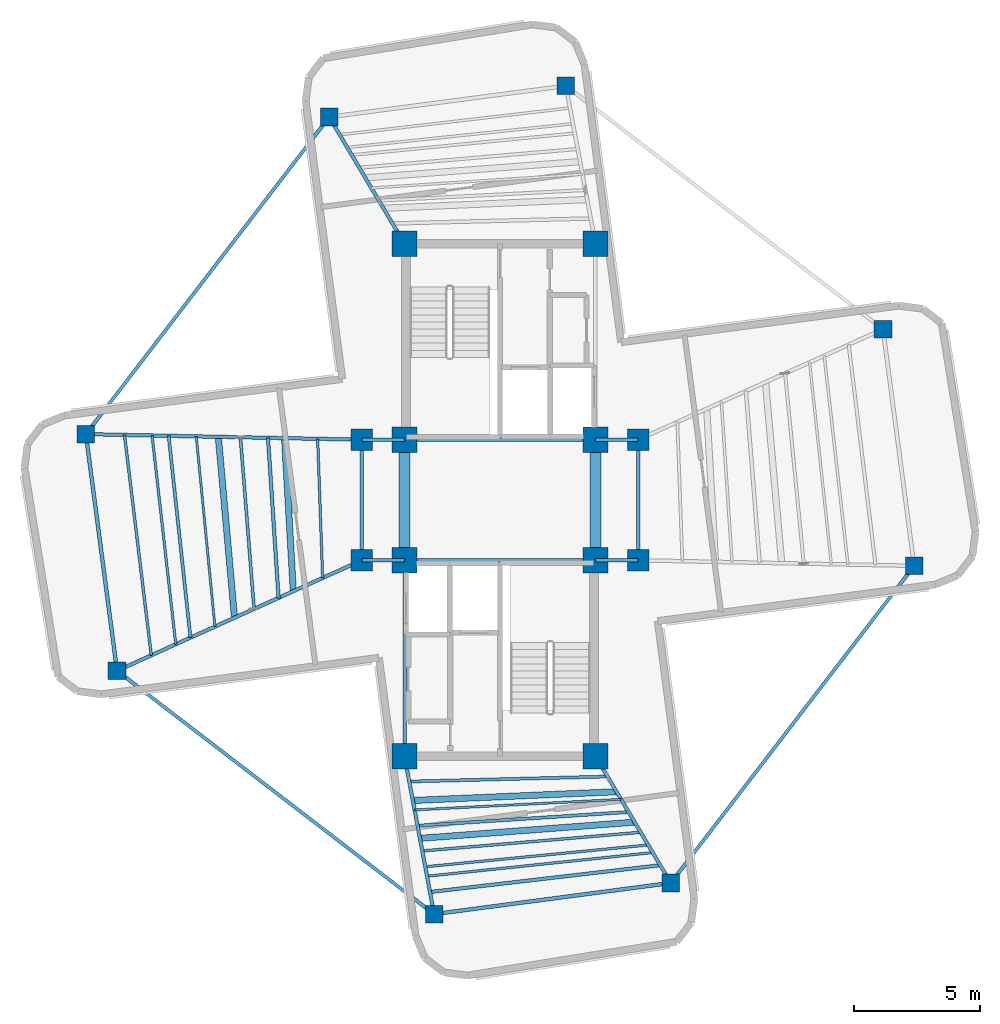
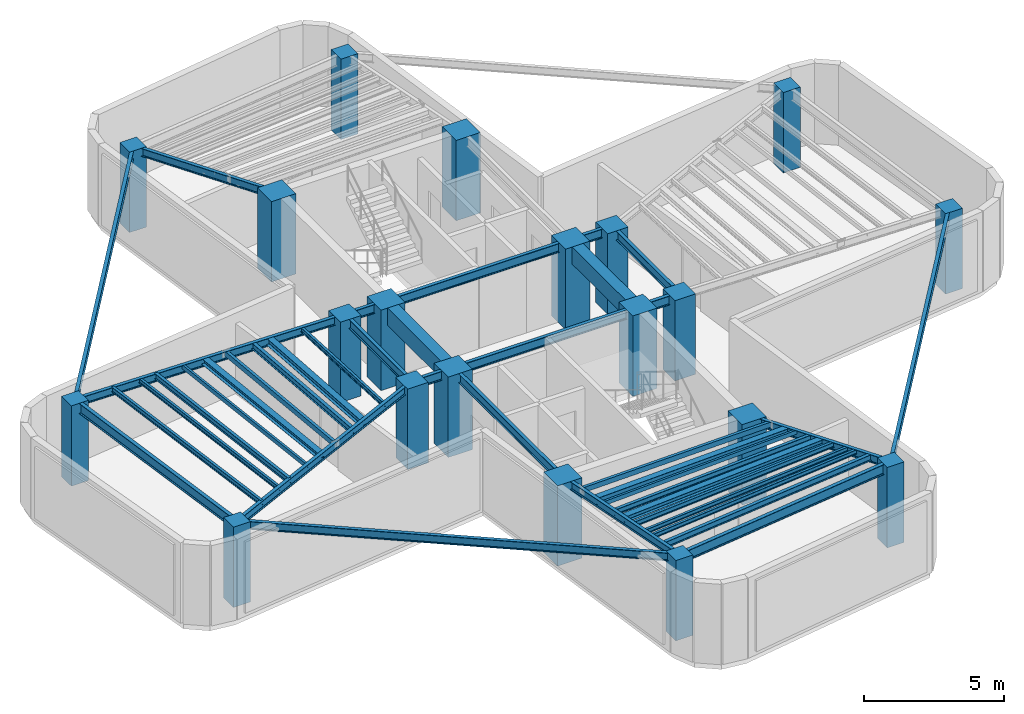
# One storey, part 1 of 6: 39 beams, 20 columns.
"""IFC4 building model written with IfcOpenShell, lengths in metres."""

from ifc_helpers import new_model, si_unit, direction, frame, origin, origin_2d, place, context, subcontext, project, spatial, rectangle, hollow_rectangle, i_section, extrude, source, transform, mapped, material, material_profile, profile_set, type_object, element, save


model = new_model("IFC4")

# Units and contexts
model_context = context("Model", 3, precision=1e-05, world=origin(), true_north=direction((0.0, 1.0)))
body_context = subcontext(model_context, "Body", "Model", "MODEL_VIEW")
ifc_project = project(units=[si_unit("LENGTHUNIT", "METRE"), si_unit("AREAUNIT", "SQUARE_METRE"), si_unit("VOLUMEUNIT", "CUBIC_METRE"), si_unit("PLANEANGLEUNIT", "RADIAN"), si_unit("MASSUNIT", "GRAM", prefix="KILO")], contexts=[model_context])

# Site, building, storey
site_placement = place(None, origin())
site = spatial("IfcSite", under=ifc_project, at=site_placement, CompositionType="ELEMENT")
building_placement = place(site_placement, origin())
building = spatial("IfcBuilding", under=site, at=building_placement, Name="Sahyath Konkavel Grand Hotel", CompositionType="ELEMENT")
storey_placement = place(building_placement, frame((0.0, 0.0, 285.10009765625)))
storey = spatial("IfcBuildingStorey", under=building, at=storey_placement, Name="L79", CompositionType="ELEMENT", Elevation=285.10009765625)

# Columns
ifc_material_1 = material(Name="Concrete C50/60", Category="concrete")
ifc_material_profile_1 = material_profile(ifc_material_1, rectangle(XDim=1.0, YDim=1.0, at=origin_2d()), Name="RC 1000x1000")
ifc_profile_set_1 = profile_set([ifc_material_profile_1], Name="Concrete C50/60")
column_type_1 = type_object("IfcColumnType", Name="COL-RC1000", PredefinedType="COLUMN", material=ifc_profile_set_1)
shared_shape_1 = source(origin(), body_context, "Body", "SweptSolid", [
    extrude(rectangle(XDim=1.0, YDim=1.0, at=origin_2d()), origin(), (0.0, 0.0, 1.0), 3.5),
])
for number, where, z_axis, x_axis, name in (
    (1, (-3.800048828125, 2.39990234375, 0.0), (0.0, 0.0, 1.0), (1.0, 0.0, 0.0), "L79 Core Boundary Column NC-SW"),
    (2, (3.800048828125, 2.39990234375, 0.0), (0.0, 0.0, 1.0), (1.0, 0.0, 0.0), "L79 Core Boundary Column NC-SE"),
    (3, (-3.800048828125, 10.199951171875, 0.0), (0.0, 0.0, 1.0), (1.0, 0.0, 0.0), "L79 Core Boundary Column NC-NW"),
    (4, (3.800048828125, 10.199951171875, 0.0), (0.0, 0.0, 1.0), (1.0, 0.0, 0.0), "L79 Core Boundary Column NC-NE"),
    (5, (-3.800048828125, -2.39990234375, 0.0), (0.0, 0.0, 1.0), (1.0, 0.0, 0.0), "L79 Core Boundary Column SC-NW"),
    (6, (3.800048828125, -2.39990234375, 0.0), (0.0, 0.0, 1.0), (1.0, 0.0, 0.0), "L79 Core Boundary Column SC-NE"),
    (7, (-3.800048828125, -10.199951171875, 0.0), (0.0, 0.0, 1.0), (1.0, 0.0, 0.0), "L79 Core Boundary Column SC-SW"),
    (8, (3.800048828125, -10.199951171875, 0.0), (0.0, 0.0, 1.0), (1.0, 0.0, 0.0), "L79 Core Boundary Column SC-SE"),
):
    element("IfcColumn", number, at=place(storey_placement, frame(where, z_axis=z_axis, x_axis=x_axis)), inside=storey, type_object=column_type_1, Name=name, PredefinedType="COLUMN", context=body_context, shape_type="MappedRepresentation", body=[
        mapped(shared_shape_1, transform((0.0, 0.0, 0.0), scale=1.0)),
    ])
ifc_material_2 = material(Name="Concrete C40/50", Category="concrete")
ifc_material_profile_2 = material_profile(ifc_material_2, rectangle(XDim=0.85009765625, YDim=0.85009765625, at=origin_2d()), Name="RC 850x850")
ifc_profile_set_2 = profile_set([ifc_material_profile_2], Name="Concrete C40/50")
column_type_2 = type_object("IfcColumnType", Name="COL-RC850", PredefinedType="COLUMN", material=ifc_profile_set_2)
shared_shape_2 = source(origin(), body_context, "Body", "SweptSolid", [
    extrude(rectangle(XDim=0.85009765625, YDim=0.85009765625, at=origin_2d()), origin(), (0.0, 0.0, 1.0), 3.5),
])
for number, where, z_axis, x_axis, name in (
    (9, (5.5, 2.39990234375, 0.0), (0.0, 0.0, 1.0), (1.0, 0.0, 0.0), "L79 Central Spine Column HB-NE"),
    (10, (-5.5, 2.39990234375, 0.0), (0.0, 0.0, 1.0), (1.0, 0.0, 0.0), "L79 Central Spine Column HB-NW"),
    (11, (5.5, -2.39990234375, 0.0), (0.0, 0.0, 1.0), (1.0, 0.0, 0.0), "L79 Central Spine Column HB-SE"),
    (12, (-5.5, -2.39990234375, 0.0), (0.0, 0.0, 1.0), (1.0, 0.0, 0.0), "L79 Central Spine Column HB-SW"),
):
    element("IfcColumn", number, at=place(storey_placement, frame(where, z_axis=z_axis, x_axis=x_axis)), inside=storey, type_object=column_type_2, Name=name, PredefinedType="COLUMN", context=body_context, shape_type="MappedRepresentation", body=[
        mapped(shared_shape_2, transform((0.0, 0.0, 0.0), scale=1.0)),
    ])
ifc_material_profile_3 = material_profile(ifc_material_2, rectangle(XDim=0.699951171875, YDim=0.699951171875, at=origin_2d()), Name="RC 700x700")
ifc_profile_set_3 = profile_set([ifc_material_profile_3], Name="Concrete C40/50")
column_type_3 = type_object("IfcColumnType", Name="COL-RC700", PredefinedType="COLUMN", material=ifc_profile_set_3)
shared_shape_3 = source(origin(), body_context, "Body", "SweptSolid", [
    extrude(rectangle(XDim=0.699951171875, YDim=0.699951171875, at=origin_2d()), origin(), (0.0, 0.0, 1.0), 3.5),
])
for number, where, z_axis, x_axis, name in (
    (13, (16.483154296875, -2.620849609375, 0.0), (0.0, 0.0, 1.0), (1.0, 0.0, 0.0), "L79 Cruciform Wing Column WC-EA"),
    (14, (15.2431640625, 6.7978515625, 0.0), (0.0, 0.0, 1.0), (1.0, 0.0, 0.0), "L79 Cruciform Wing Column WC-EB"),
    (15, (2.620849609375, 16.483154296875, 0.0), (0.0, 0.0, 1.0), (1.0, 0.0, 0.0), "L79 Cruciform Wing Column WC-NA"),
    (16, (-6.7978515625, 15.2431640625, 0.0), (0.0, 0.0, 1.0), (1.0, 0.0, 0.0), "L79 Cruciform Wing Column WC-NB"),
    (17, (-16.483154296875, 2.620849609375, 0.0), (0.0, 0.0, 1.0), (1.0, 0.0, 0.0), "L79 Cruciform Wing Column WC-WA"),
    (18, (-15.2431640625, -6.7978515625, 0.0), (0.0, 0.0, 1.0), (1.0, 0.0, 0.0), "L79 Cruciform Wing Column WC-WB"),
    (19, (-2.620849609375, -16.483154296875, 0.0), (0.0, 0.0, 1.0), (1.0, 0.0, 0.0), "L79 Cruciform Wing Column WC-SA"),
    (20, (6.7978515625, -15.2431640625, 0.0), (0.0, 0.0, 1.0), (1.0, 0.0, 0.0), "L79 Cruciform Wing Column WC-SB"),
):
    element("IfcColumn", number, at=place(storey_placement, frame(where, z_axis=z_axis, x_axis=x_axis)), inside=storey, type_object=column_type_3, Name=name, PredefinedType="COLUMN", context=body_context, shape_type="MappedRepresentation", body=[
        mapped(shared_shape_3, transform((0.0, 0.0, 0.0), scale=1.0)),
    ])

# Beams
ifc_material_3 = material(Name="Steel E350", Category="steel")
ifc_material_profile_4 = material_profile(ifc_material_3, i_section(OverallWidth=0.139892578125, OverallDepth=0.39990234375, WebThickness=0.0087890625, FlangeThickness=0.01611328125, FilletRadius=0.013916015625, at=origin_2d()), Name="ISMB 400")
ifc_profile_set_4 = profile_set([ifc_material_profile_4], Name="Steel E350")
beam_type_1 = type_object("IfcBeamType", Name="BM-ISMB400", PredefinedType="BEAM", material=ifc_profile_set_4)
shared_shape_4 = source(origin(), body_context, "Body", "SweptSolid", [
    extrude(i_section(OverallWidth=0.139892578125, OverallDepth=0.39990234375, WebThickness=0.0087890625, FlangeThickness=0.01611328125, FilletRadius=0.013916015625, at=origin_2d()), origin(), (0.0, 0.0, 1.0), 7.60009765625),
])
for number, where, z_axis, x_axis, name in (
    (21, (-3.800048828125, 2.39990234375, 3.2998046875), (1.0, 0.0, 0.0), (0.0, 1.0, 0.0), "str:bm:L79:NC-S"),
    (22, (-3.800048828125, -2.39990234375, 3.2998046875), (1.0, 0.0, 0.0), (0.0, 1.0, 0.0), "str:bm:L79:SC-N"),
):
    element("IfcBeam", number, at=place(storey_placement, frame(where, z_axis=z_axis, x_axis=x_axis)), inside=storey, type_object=beam_type_1, Name=name, PredefinedType="BEAM", context=body_context, shape_type="MappedRepresentation", body=[
        mapped(shared_shape_4, transform((0.0, 0.0, 0.0), scale=1.0)),
    ])
shared_shape_5 = source(origin(), body_context, "Body", "SweptSolid", [
    extrude(i_section(OverallWidth=0.139892578125, OverallDepth=0.39990234375, WebThickness=0.0087890625, FlangeThickness=0.01611328125, FilletRadius=0.013916015625, at=origin_2d()), origin(), (0.0, 0.0, 1.0), 7.800048828125),
])
beam_1_placement = place(storey_placement, frame((-3.800048828125, -10.199951171875, 3.2998046875), z_axis=(0.0, 1.0, 0.0), x_axis=(-1.0, 0.0, 0.0)))
element("IfcBeam", 23, at=beam_1_placement, inside=storey, type_object=beam_type_1, Name="str:bm:L79:SC-W", PredefinedType="BEAM", context=body_context, shape_type="MappedRepresentation", body=[
    mapped(shared_shape_5, transform((0.0, 0.0, 0.0), scale=1.0)),
])
shared_shape_6 = source(origin(), body_context, "Body", "SweptSolid", [
    extrude(i_section(OverallWidth=0.139892578125, OverallDepth=0.39990234375, WebThickness=0.0087890625, FlangeThickness=0.01611328125, FilletRadius=0.013916015625, at=origin_2d()), origin(), (0.0, 0.0, 1.0), 1.699951171875),
])
for number, where, z_axis, x_axis, name in (
    (24, (-5.5, 2.39990234375, 3.2998046875), (1.0, 0.0, 0.0), (0.0, 1.0, 0.0), "str:bm:L79:HB-NW"),
    (25, (3.800048828125, 2.39990234375, 3.2998046875), (1.0, 0.0, 0.0), (0.0, 1.0, 0.0), "str:bm:L79:HB-NE"),
    (26, (-5.5, -2.39990234375, 3.2998046875), (1.0, 0.0, 0.0), (0.0, 1.0, 0.0), "str:bm:L79:HB-SW"),
    (27, (3.800048828125, -2.39990234375, 3.2998046875), (1.0, 0.0, 0.0), (0.0, 1.0, 0.0), "str:bm:L79:HB-SE"),
):
    element("IfcBeam", number, at=place(storey_placement, frame(where, z_axis=z_axis, x_axis=x_axis)), inside=storey, type_object=beam_type_1, Name=name, PredefinedType="BEAM", context=body_context, shape_type="MappedRepresentation", body=[
        mapped(shared_shape_6, transform((0.0, 0.0, 0.0), scale=1.0)),
    ])
shared_shape_7 = source(origin(), body_context, "Body", "SweptSolid", [
    extrude(i_section(OverallWidth=0.139892578125, OverallDepth=0.39990234375, WebThickness=0.0087890625, FlangeThickness=0.01611328125, FilletRadius=0.013916015625, at=origin_2d()), origin(), (0.0, 0.0, 1.0), 4.7998046875),
])
for number, where, z_axis, x_axis, name in (
    (28, (5.5, -2.39990234375, 3.2998046875), (0.0, 1.0, 0.0), (-1.0, 0.0, 0.0), "str:bm:L79:HB-E"),
    (29, (-5.5, -2.39990234375, 3.2998046875), (0.0, 1.0, 0.0), (-1.0, 0.0, 0.0), "str:bm:L79:HB-W"),
):
    element("IfcBeam", number, at=place(storey_placement, frame(where, z_axis=z_axis, x_axis=x_axis)), inside=storey, type_object=beam_type_1, Name=name, PredefinedType="BEAM", context=body_context, shape_type="MappedRepresentation", body=[
        mapped(shared_shape_7, transform((0.0, 0.0, 0.0), scale=1.0)),
    ])
ifc_material_profile_5 = material_profile(ifc_material_2, rectangle(XDim=0.449951171875, YDim=0.75, at=origin_2d()), Name="RC 450x750")
ifc_profile_set_5 = profile_set([ifc_material_profile_5], Name="Concrete C40/50")
beam_type_2 = type_object("IfcBeamType", Name="BM-CB450x750", PredefinedType="LINTEL", material=ifc_profile_set_5)
shared_shape_8 = source(origin(), body_context, "Body", "SweptSolid", [
    extrude(rectangle(XDim=0.449951171875, YDim=0.75, at=origin_2d()), origin(), (0.0, 0.0, 1.0), 4.7998046875),
])
for number, where, z_axis, x_axis, name in (
    (30, (-3.800048828125, -2.39990234375, 3.125), (0.0, 1.0, 0.0), (-1.0, 0.0, 0.0), "L79 Split-Core Coupling Beam West"),
    (31, (3.800048828125, -2.39990234375, 3.125), (0.0, 1.0, 0.0), (-1.0, 0.0, 0.0), "L79 Split-Core Coupling Beam East"),
):
    element("IfcBeam", number, at=place(storey_placement, frame(where, z_axis=z_axis, x_axis=x_axis)), inside=storey, type_object=beam_type_2, Name=name, PredefinedType="LINTEL", context=body_context, shape_type="MappedRepresentation", body=[
        mapped(shared_shape_8, transform((0.0, 0.0, 0.0), scale=1.0)),
    ])
ifc_material_profile_6 = material_profile(ifc_material_3, i_section(OverallWidth=0.14990234375, OverallDepth=0.449951171875, WebThickness=0.009521484375, FlangeThickness=0.017333984375, FilletRadius=0.014892578125, at=origin_2d()), Name="ISMB 450")
ifc_profile_set_6 = profile_set([ifc_material_profile_6], Name="Steel E350")
beam_type_3 = type_object("IfcBeamType", Name="BM-ISMB450", PredefinedType="BEAM", material=ifc_profile_set_6)
shared_shape_9 = source(origin(), body_context, "Body", "SweptSolid", [
    extrude(i_section(OverallWidth=0.14990234375, OverallDepth=0.449951171875, WebThickness=0.009521484375, FlangeThickness=0.017333984375, FilletRadius=0.014892578125, at=origin_2d()), origin(), (0.0, 0.0, 1.0), 9.5),
])
for number, where, z_axis, x_axis, name in (
    (32, (-16.483154296875, 2.620849609375, 3.27490234375), (0.130525643939, -0.991444933556, 0.0), (0.991444933556, 0.130525643939, 0.0), "L79 Wing Tip Edge Beam W"),
    (33, (-2.620849609375, -16.483154296875, 3.27490234375), (0.991444933556, 0.130525643939, 0.0), (-0.130525643939, 0.991444933556, 0.0), "L79 Wing Tip Edge Beam S"),
):
    element("IfcBeam", number, at=place(storey_placement, frame(where, z_axis=z_axis, x_axis=x_axis)), inside=storey, type_object=beam_type_3, Name=name, PredefinedType="BEAM", context=body_context, shape_type="MappedRepresentation", body=[
        mapped(shared_shape_9, transform((0.0, 0.0, 0.0), scale=1.0)),
    ])
ifc_material_profile_7 = material_profile(ifc_material_3, i_section(OverallWidth=0.139892578125, OverallDepth=0.35009765625, WebThickness=0.008056640625, FlangeThickness=0.01416015625, FilletRadius=0.013916015625, at=origin_2d()), Name="ISMB 350")
ifc_profile_set_7 = profile_set([ifc_material_profile_7], Name="Steel E350")
beam_type_4 = type_object("IfcBeamType", Name="BM-ISMB350", PredefinedType="BEAM", material=ifc_profile_set_7)
shared_shape_10 = source(origin(), body_context, "Body", "SweptSolid", [
    extrude(i_section(OverallWidth=0.139892578125, OverallDepth=0.35009765625, WebThickness=0.008056640625, FlangeThickness=0.01416015625, FilletRadius=0.013916015625, at=origin_2d()), origin(), (0.0, 0.0, 1.0), 10.9853515625),
])
beam_2_placement = place(storey_placement, frame((-5.5, 2.39990234375, 3.324951171875), z_axis=(-0.999797716106, 0.020112853337, 0.0), x_axis=(-0.020112853337, -0.999797716106, 0.0)))
element("IfcBeam", 34, at=beam_2_placement, inside=storey, type_object=beam_type_4, Name="L79 Cruciform Radial Girder WA", PredefinedType="BEAM", context=body_context, shape_type="MappedRepresentation", body=[
    mapped(shared_shape_10, transform((0.0, 0.0, 0.0), scale=1.0)),
])
shared_shape_11 = source(origin(), body_context, "Body", "SweptSolid", [
    extrude(i_section(OverallWidth=0.139892578125, OverallDepth=0.35009765625, WebThickness=0.008056640625, FlangeThickness=0.01416015625, FilletRadius=0.013916015625, at=origin_2d()), origin(), (0.0, 0.0, 1.0), 10.689697265625),
])
beam_3_placement = place(storey_placement, frame((-5.5, -2.39990234375, 3.324951171875), z_axis=(-0.911447410295, -0.411416599405, 0.0), x_axis=(0.411416599405, -0.911447410295, 0.0)))
element("IfcBeam", 35, at=beam_3_placement, inside=storey, type_object=beam_type_4, Name="L79 Cruciform Radial Girder WB", PredefinedType="BEAM", context=body_context, shape_type="MappedRepresentation", body=[
    mapped(shared_shape_11, transform((0.0, 0.0, 0.0), scale=1.0)),
])
shared_shape_12 = source(origin(), body_context, "Body", "SweptSolid", [
    extrude(i_section(OverallWidth=0.139892578125, OverallDepth=0.35009765625, WebThickness=0.008056640625, FlangeThickness=0.01416015625, FilletRadius=0.013916015625, at=origin_2d()), origin(), (0.0, 0.0, 1.0), 6.392822265625),
])
beam_4_placement = place(storey_placement, frame((-3.800048828125, -10.199951171875, 3.324951171875), z_axis=(0.184454547999, -0.982841044993, 0.0), x_axis=(0.982841044993, 0.184454547999, 0.0)))
element("IfcBeam", 36, at=beam_4_placement, inside=storey, type_object=beam_type_4, Name="L79 Cruciform Radial Girder SA", PredefinedType="BEAM", context=body_context, shape_type="MappedRepresentation", body=[
    mapped(shared_shape_12, transform((0.0, 0.0, 0.0), scale=1.0)),
])
shared_shape_13 = source(origin(), body_context, "Body", "SweptSolid", [
    extrude(i_section(OverallWidth=0.139892578125, OverallDepth=0.35009765625, WebThickness=0.008056640625, FlangeThickness=0.01416015625, FilletRadius=0.013916015625, at=origin_2d()), origin(), (0.0, 0.0, 1.0), 5.866943359375),
])
for number, where, z_axis, x_axis, name in (
    (37, (-3.800048828125, 10.199951171875, 3.324951171875), (-0.510966539123, 0.859600602546, 0.0), (-0.859600602546, -0.510966539123, 0.0), "L79 Cruciform Radial Girder NB"),
    (38, (3.800048828125, -10.199951171875, 3.324951171875), (0.510966539123, -0.859600602546, 0.0), (0.859600602546, 0.510966539123, 0.0), "L79 Cruciform Radial Girder SB"),
):
    element("IfcBeam", number, at=place(storey_placement, frame(where, z_axis=z_axis, x_axis=x_axis)), inside=storey, type_object=beam_type_4, Name=name, PredefinedType="BEAM", context=body_context, shape_type="MappedRepresentation", body=[
        mapped(shared_shape_13, transform((0.0, 0.0, 0.0), scale=1.0)),
    ])
shared_shape_14 = source(origin(), body_context, "Body", "SweptSolid", [
    extrude(i_section(OverallWidth=0.139892578125, OverallDepth=0.35009765625, WebThickness=0.008056640625, FlangeThickness=0.01416015625, FilletRadius=0.013916015625, at=origin_2d()), origin(), (0.0, 0.0, 1.0), 15.909912109375),
])
for number, where, z_axis, x_axis, name in (
    (39, (-6.7978515625, 15.2431640625, 3.324951171875), (-0.608755898564, -0.79335758392, 0.0), (0.79335758392, -0.608755898564, 0.0), "L79 Re-Entrant Tie Beam NW"),
    (40, (-15.2431640625, -6.7978515625, 3.324951171875), (0.79335758392, -0.608755898564, 0.0), (0.608755898564, 0.79335758392, 0.0), "L79 Re-Entrant Tie Beam SW"),
    (41, (16.483154296875, -2.620849609375, 3.324951171875), (-0.608755898564, -0.79335758392, 0.0), (0.79335758392, -0.608755898564, 0.0), "L79 Re-Entrant Tie Beam SE"),
):
    element("IfcBeam", number, at=place(storey_placement, frame(where, z_axis=z_axis, x_axis=x_axis)), inside=storey, type_object=beam_type_4, Name=name, PredefinedType="BEAM", context=body_context, shape_type="MappedRepresentation", body=[
        mapped(shared_shape_14, transform((0.0, 0.0, 0.0), scale=1.0)),
    ])
ifc_material_profile_8 = material_profile(ifc_material_3, i_section(OverallWidth=0.25, OverallDepth=0.300048828125, WebThickness=0.009521484375, FlangeThickness=0.010498046875, FilletRadius=0.010986328125, at=origin_2d()), Name="ISHB 300")
ifc_profile_set_8 = profile_set([ifc_material_profile_8], Name="Steel E350")
beam_type_5 = type_object("IfcBeamType", Name="BM-ISHB300", PredefinedType="BEAM", material=ifc_profile_set_8)
shared_shape_15 = source(origin(), body_context, "Body", "SweptSolid", [
    extrude(i_section(OverallWidth=0.25, OverallDepth=0.300048828125, WebThickness=0.009521484375, FlangeThickness=0.010498046875, FilletRadius=0.010986328125, at=origin_2d()), origin(), (0.0, 0.0, 1.0), 6.10302734375),
])
beam_5_placement = place(storey_placement, frame((-8.5751953125, 2.4619140625, 3.349853515625), z_axis=(0.056883465537, -0.99838082481, 0.0), x_axis=(0.99838082481, 0.056883465537, 0.0)))
element("IfcBeam", 42, at=beam_5_placement, inside=storey, type_object=beam_type_5, Name="L79 Secondary Floor Beam W-1", PredefinedType="BEAM", context=body_context, shape_type="MappedRepresentation", body=[
    mapped(shared_shape_15, transform((0.0, 0.0, 0.0), scale=1.0)),
])
ifc_material_profile_9 = material_profile(ifc_material_3, i_section(OverallWidth=0.25, OverallDepth=0.25, WebThickness=0.0087890625, FlangeThickness=0.009765625, FilletRadius=0.010009765625, at=origin_2d()), Name="ISHB 250")
ifc_profile_set_9 = profile_set([ifc_material_profile_9], Name="Steel E350")
beam_type_6 = type_object("IfcBeamType", Name="BM-ISHB250", PredefinedType="BEAM", material=ifc_profile_set_9)
shared_shape_16 = source(origin(), body_context, "Body", "SweptSolid", [
    extrude(i_section(OverallWidth=0.25, OverallDepth=0.25, WebThickness=0.0087890625, FlangeThickness=0.009765625, FilletRadius=0.010009765625, at=origin_2d()), origin(), (0.0, 0.0, 1.0), 7.230712890625),
])
beam_6_placement = place(storey_placement, frame((-11.211181640625, 2.514892578125, 3.375), z_axis=(0.089171800482, -0.996016259907, 0.0), x_axis=(0.996016259907, 0.089171800482, 0.0)))
element("IfcBeam", 43, at=beam_6_placement, inside=storey, type_object=beam_type_6, Name="L79 Secondary Floor Beam W-2", PredefinedType="BEAM", context=body_context, shape_type="MappedRepresentation", body=[
    mapped(shared_shape_16, transform((0.0, 0.0, 0.0), scale=1.0)),
])
ifc_material_profile_10 = material_profile(ifc_material_3, i_section(OverallWidth=0.10009765625, OverallDepth=0.199951171875, WebThickness=0.005615234375, FlangeThickness=0.0107421875, FilletRadius=0.010986328125, at=origin_2d()), Name="ISMB 200")
ifc_profile_set_10 = profile_set([ifc_material_profile_10], Name="Steel E350")
beam_type_7 = type_object("IfcBeamType", Name="BM-ISMB200", PredefinedType="BEAM", material=ifc_profile_set_10)
shared_shape_17 = source(origin(), body_context, "Body", "SweptSolid", [
    extrude(i_section(OverallWidth=0.10009765625, OverallDepth=0.199951171875, WebThickness=0.005615234375, FlangeThickness=0.0107421875, FilletRadius=0.010986328125, at=origin_2d()), origin(), (0.0, 0.0, 1.0), 8.36328125),
])
beam_7_placement = place(storey_placement, frame((-13.84716796875, 2.56787109375, 3.39990234375), z_axis=(0.112680437677, -0.99363127918, 0.0), x_axis=(0.99363127918, 0.112680437677, 0.0)))
element("IfcBeam", 44, at=beam_7_placement, inside=storey, type_object=beam_type_7, Name="L79 Secondary Floor Beam W-3", PredefinedType="BEAM", context=body_context, shape_type="MappedRepresentation", body=[
    mapped(shared_shape_17, transform((0.0, 0.0, 0.0), scale=1.0)),
])
shared_shape_18 = source(origin(), body_context, "Body", "SweptSolid", [
    extrude(i_section(OverallWidth=0.25, OverallDepth=0.300048828125, WebThickness=0.009521484375, FlangeThickness=0.010498046875, FilletRadius=0.010986328125, at=origin_2d()), origin(), (0.0, 0.0, 1.0), 8.11669921875),
])
beam_8_placement = place(storey_placement, frame((-3.469970703125, -11.959228515625, 3.349853515625), z_axis=(0.999084879956, 0.042771516718, 0.0), x_axis=(-0.042771516718, 0.999084879956, 0.0)))
element("IfcBeam", 45, at=beam_8_placement, inside=storey, type_object=beam_type_5, Name="L79 Secondary Floor Beam S-1", PredefinedType="BEAM", context=body_context, shape_type="MappedRepresentation", body=[
    mapped(shared_shape_18, transform((0.0, 0.0, 0.0), scale=1.0)),
])
shared_shape_19 = source(origin(), body_context, "Body", "SweptSolid", [
    extrude(i_section(OverallWidth=0.25, OverallDepth=0.25, WebThickness=0.0087890625, FlangeThickness=0.009765625, FilletRadius=0.010009765625, at=origin_2d()), origin(), (0.0, 0.0, 1.0), 8.570068359375),
])
beam_9_placement = place(storey_placement, frame((-3.18701171875, -13.46728515625, 3.375), z_axis=(0.997165854664, 0.075234688098, 0.0), x_axis=(-0.075234688098, 0.997165854664, 0.0)))
element("IfcBeam", 46, at=beam_9_placement, inside=storey, type_object=beam_type_6, Name="L79 Secondary Floor Beam S-2", PredefinedType="BEAM", context=body_context, shape_type="MappedRepresentation", body=[
    mapped(shared_shape_19, transform((0.0, 0.0, 0.0), scale=1.0)),
])
shared_shape_20 = source(origin(), body_context, "Body", "SweptSolid", [
    extrude(i_section(OverallWidth=0.10009765625, OverallDepth=0.199951171875, WebThickness=0.005615234375, FlangeThickness=0.0107421875, FilletRadius=0.010986328125, at=origin_2d()), origin(), (0.0, 0.0, 1.0), 9.031494140625),
])
beam_10_placement = place(storey_placement, frame((-2.90380859375, -14.97509765625, 3.39990234375), z_axis=(0.994541240043, 0.104344246869, 0.0), x_axis=(-0.104344246869, 0.994541240043, 0.0)))
element("IfcBeam", 47, at=beam_10_placement, inside=storey, type_object=beam_type_7, Name="L79 Secondary Floor Beam S-3", PredefinedType="BEAM", context=body_context, shape_type="MappedRepresentation", body=[
    mapped(shared_shape_20, transform((0.0, 0.0, 0.0), scale=1.0)),
])
shared_shape_21 = source(origin(), body_context, "Body", "SweptSolid", [
    extrude(i_section(OverallWidth=0.10009765625, OverallDepth=0.199951171875, WebThickness=0.005615234375, FlangeThickness=0.0107421875, FilletRadius=0.010986328125, at=origin_2d()), origin(), (0.0, 0.0, 1.0), 5.54248046875),
])
beam_11_placement = place(storey_placement, frame((-7.25732421875, 2.435302734375, 3.39990234375), z_axis=(0.035812512973, -0.999358526213, 0.0), x_axis=(0.999358526213, 0.035812512973, 0.0)))
element("IfcBeam", 48, at=beam_11_placement, inside=storey, type_object=beam_type_7, Name="L79 Composite Deck Sub-Beam W-1", PredefinedType="BEAM", context=body_context, shape_type="MappedRepresentation", body=[
    mapped(shared_shape_21, transform((0.0, 0.0, 0.0), scale=1.0)),
])
ifc_material_profile_11 = material_profile(ifc_material_3, i_section(OverallWidth=0.139892578125, OverallDepth=0.27490234375, WebThickness=0.00634765625, FlangeThickness=0.0087890625, FilletRadius=0.012939453125, at=origin_2d()), Name="ISLB 275")
ifc_profile_set_11 = profile_set([ifc_material_profile_11], Name="Steel E350")
beam_type_8 = type_object("IfcBeamType", Name="BM-ISLB275", PredefinedType="BEAM", material=ifc_profile_set_11)
shared_shape_22 = source(origin(), body_context, "Body", "SweptSolid", [
    extrude(i_section(OverallWidth=0.139892578125, OverallDepth=0.27490234375, WebThickness=0.00634765625, FlangeThickness=0.0087890625, FilletRadius=0.012939453125, at=origin_2d()), origin(), (0.0, 0.0, 1.0), 6.38427734375),
])
beam_12_placement = place(storey_placement, frame((-9.234375, 2.47509765625, 3.3623046875), z_axis=(0.066041839115, -0.997816854681, 0.0), x_axis=(0.997816854681, 0.066041839115, 0.0)))
element("IfcBeam", 49, at=beam_12_placement, inside=storey, type_object=beam_type_8, Name="L79 Composite Deck Sub-Beam W-2", PredefinedType="BEAM", context=body_context, shape_type="MappedRepresentation", body=[
    mapped(shared_shape_22, transform((0.0, 0.0, 0.0), scale=1.0)),
])
ifc_material_profile_12 = material_profile(ifc_material_3, hollow_rectangle(XDim=0.1201171875, YDim=0.219970703125, WallThickness=0.010009765625, at=origin_2d()), Name="RHS 220x120x10")
ifc_profile_set_12 = profile_set([ifc_material_profile_12], Name="Steel E350")
beam_type_9 = type_object("IfcBeamType", Name="BM-RHS220", PredefinedType="BEAM", material=ifc_profile_set_12)
shared_shape_23 = source(origin(), body_context, "Body", "SweptSolid", [
    extrude(hollow_rectangle(XDim=0.1201171875, YDim=0.219970703125, WallThickness=0.010009765625, at=origin_2d()), origin(), (0.0, 0.0, 1.0), 6.85400390625),
])
beam_13_placement = place(storey_placement, frame((-10.33251953125, 2.497314453125, 3.389892578125), z_axis=(0.079575331875, -0.996828855199, 0.0), x_axis=(0.996828855199, 0.079575331875, 0.0)))
element("IfcBeam", 50, at=beam_13_placement, inside=storey, type_object=beam_type_9, Name="L79 Composite Deck Sub-Beam W-3", PredefinedType="BEAM", context=body_context, shape_type="MappedRepresentation", body=[
    mapped(shared_shape_23, transform((0.0, 0.0, 0.0), scale=1.0)),
])
ifc_material_profile_13 = material_profile(ifc_material_3, hollow_rectangle(XDim=0.090087890625, YDim=0.179931640625, WallThickness=0.008056640625, at=origin_2d()), Name="RHS 180x90x8")
ifc_profile_set_13 = profile_set([ifc_material_profile_13], Name="Steel E350")
beam_type_10 = type_object("IfcBeamType", Name="BM-RHS180", PredefinedType="BEAM", material=ifc_profile_set_13)
shared_shape_24 = source(origin(), body_context, "Body", "SweptSolid", [
    extrude(hollow_rectangle(XDim=0.090087890625, YDim=0.179931640625, WallThickness=0.008056640625, at=origin_2d()), origin(), (0.0, 0.0, 1.0), 7.607666015625),
])
beam_14_placement = place(storey_placement, frame((-12.08984375, 2.532470703125, 3.409912109375), z_axis=(0.09778145576, -0.995207911398, 0.0), x_axis=(0.995207911398, 0.09778145576, 0.0)))
element("IfcBeam", 51, at=beam_14_placement, inside=storey, type_object=beam_type_10, Name="L79 Composite Deck Sub-Beam W-4", PredefinedType="BEAM", context=body_context, shape_type="MappedRepresentation", body=[
    mapped(shared_shape_24, transform((0.0, 0.0, 0.0), scale=1.0)),
])
ifc_material_profile_14 = material_profile(ifc_material_3, i_section(OverallWidth=0.125, OverallDepth=0.25, WebThickness=0.0068359375, FlangeThickness=0.012451171875, FilletRadius=0.012939453125, at=origin_2d()), Name="ISMB 250")
ifc_profile_set_14 = profile_set([ifc_material_profile_14], Name="Steel E350")
beam_type_11 = type_object("IfcBeamType", Name="BM-ISMB250", PredefinedType="BEAM", material=ifc_profile_set_14)
shared_shape_25 = source(origin(), body_context, "Body", "SweptSolid", [
    extrude(i_section(OverallWidth=0.125, OverallDepth=0.25, WebThickness=0.0068359375, FlangeThickness=0.012451171875, FilletRadius=0.012939453125, at=origin_2d()), origin(), (0.0, 0.0, 1.0), 8.079833984375),
])
beam_15_placement = place(storey_placement, frame((-13.188232421875, 2.5546875, 3.375), z_axis=(0.107416459243, -0.994214113903, 0.0), x_axis=(0.994214113903, 0.107416459243, 0.0)))
element("IfcBeam", 52, at=beam_15_placement, inside=storey, type_object=beam_type_11, Name="L79 Composite Deck Sub-Beam W-5", PredefinedType="BEAM", context=body_context, shape_type="MappedRepresentation", body=[
    mapped(shared_shape_25, transform((0.0, 0.0, 0.0), scale=1.0)),
])
ifc_material_profile_15 = material_profile(ifc_material_3, i_section(OverallWidth=0.110107421875, OverallDepth=0.22509765625, WebThickness=0.006591796875, FlangeThickness=0.01171875, FilletRadius=0.011962890625, at=origin_2d()), Name="ISMB 225")
ifc_profile_set_15 = profile_set([ifc_material_profile_15], Name="Steel E350")
beam_type_12 = type_object("IfcBeamType", Name="BM-ISMB225", PredefinedType="BEAM", material=ifc_profile_set_15)
shared_shape_26 = source(origin(), body_context, "Body", "SweptSolid", [
    extrude(i_section(OverallWidth=0.110107421875, OverallDepth=0.22509765625, WebThickness=0.006591796875, FlangeThickness=0.01171875, FilletRadius=0.011962890625, at=origin_2d()), origin(), (0.0, 0.0, 1.0), 8.8369140625),
])
beam_16_placement = place(storey_placement, frame((-14.945556640625, 2.590087890625, 3.387451171875), z_axis=(0.120677894343, -0.992691717411, 0.0), x_axis=(0.992691717411, 0.120677894343, 0.0)))
element("IfcBeam", 53, at=beam_16_placement, inside=storey, type_object=beam_type_12, Name="L79 Composite Deck Sub-Beam W-6", PredefinedType="BEAM", context=body_context, shape_type="MappedRepresentation", body=[
    mapped(shared_shape_26, transform((0.0, 0.0, 0.0), scale=1.0)),
])
shared_shape_27 = source(origin(), body_context, "Body", "SweptSolid", [
    extrude(hollow_rectangle(XDim=0.1201171875, YDim=0.219970703125, WallThickness=0.010009765625, at=origin_2d()), origin(), (0.0, 0.0, 1.0), 7.893310546875),
])
beam_17_placement = place(storey_placement, frame((-3.611328125, -11.205322265625, 3.389892578125), z_axis=(0.999683790083, 0.025145970772, 0.0), x_axis=(-0.025145970772, 0.999683790083, 0.0)))
element("IfcBeam", 54, at=beam_17_placement, inside=storey, type_object=beam_type_9, Name="L79 Composite Deck Sub-Beam S-1", PredefinedType="BEAM", context=body_context, shape_type="MappedRepresentation", body=[
    mapped(shared_shape_27, transform((0.0, 0.0, 0.0), scale=1.0)),
])
shared_shape_28 = source(origin(), body_context, "Body", "SweptSolid", [
    extrude(hollow_rectangle(XDim=0.090087890625, YDim=0.179931640625, WallThickness=0.008056640625, at=origin_2d()), origin(), (0.0, 0.0, 1.0), 8.229248046875),
])
beam_18_placement = place(storey_placement, frame((-3.399169921875, -12.336181640625, 3.409912109375), z_axis=(0.998688130329, 0.051205647534, 0.0), x_axis=(-0.051205647534, 0.998688130329, 0.0)))
element("IfcBeam", 55, at=beam_18_placement, inside=storey, type_object=beam_type_10, Name="L79 Composite Deck Sub-Beam S-2", PredefinedType="BEAM", context=body_context, shape_type="MappedRepresentation", body=[
    mapped(shared_shape_28, transform((0.0, 0.0, 0.0), scale=1.0)),
])
shared_shape_29 = source(origin(), body_context, "Body", "SweptSolid", [
    extrude(i_section(OverallWidth=0.125, OverallDepth=0.25, WebThickness=0.0068359375, FlangeThickness=0.012451171875, FilletRadius=0.012939453125, at=origin_2d()), origin(), (0.0, 0.0, 1.0), 8.41796875),
])
beam_19_placement = place(storey_placement, frame((-3.28125, -12.964599609375, 3.375), z_axis=(0.997896901011, 0.064821099595, 0.0), x_axis=(-0.064821099595, 0.997896901011, 0.0)))
element("IfcBeam", 56, at=beam_19_placement, inside=storey, type_object=beam_type_11, Name="L79 Composite Deck Sub-Beam S-3", PredefinedType="BEAM", context=body_context, shape_type="MappedRepresentation", body=[
    mapped(shared_shape_29, transform((0.0, 0.0, 0.0), scale=1.0)),
])
shared_shape_30 = source(origin(), body_context, "Body", "SweptSolid", [
    extrude(i_section(OverallWidth=0.110107421875, OverallDepth=0.22509765625, WebThickness=0.006591796875, FlangeThickness=0.01171875, FilletRadius=0.011962890625, at=origin_2d()), origin(), (0.0, 0.0, 1.0), 8.722900390625),
])
beam_20_placement = place(storey_placement, frame((-3.092529296875, -13.969970703125, 3.387451171875), z_axis=(0.996354605721, 0.085308262542, 0.0), x_axis=(-0.085308262542, 0.996354605721, 0.0)))
element("IfcBeam", 57, at=beam_20_placement, inside=storey, type_object=beam_type_12, Name="L79 Composite Deck Sub-Beam S-4", PredefinedType="BEAM", context=body_context, shape_type="MappedRepresentation", body=[
    mapped(shared_shape_30, transform((0.0, 0.0, 0.0), scale=1.0)),
])
shared_shape_31 = source(origin(), body_context, "Body", "SweptSolid", [
    extrude(i_section(OverallWidth=0.10009765625, OverallDepth=0.199951171875, WebThickness=0.005615234375, FlangeThickness=0.0107421875, FilletRadius=0.010986328125, at=origin_2d()), origin(), (0.0, 0.0, 1.0), 8.915283203125),
])
beam_21_placement = place(storey_placement, frame((-2.974609375, -14.59814453125, 3.39990234375), z_axis=(0.995250138935, 0.097350711092, 0.0), x_axis=(-0.097350711092, 0.995250138935, 0.0)))
element("IfcBeam", 58, at=beam_21_placement, inside=storey, type_object=beam_type_7, Name="L79 Composite Deck Sub-Beam S-5", PredefinedType="BEAM", context=body_context, shape_type="MappedRepresentation", body=[
    mapped(shared_shape_31, transform((0.0, 0.0, 0.0), scale=1.0)),
])
shared_shape_32 = source(origin(), body_context, "Body", "SweptSolid", [
    extrude(i_section(OverallWidth=0.139892578125, OverallDepth=0.27490234375, WebThickness=0.00634765625, FlangeThickness=0.0087890625, FilletRadius=0.012939453125, at=origin_2d()), origin(), (0.0, 0.0, 1.0), 9.225830078125),
])
beam_22_placement = place(storey_placement, frame((-2.785888671875, -15.603515625, 3.3623046875), z_axis=(0.993297209422, 0.115588294191, 0.0), x_axis=(-0.115588294191, 0.993297209422, 0.0)))
element("IfcBeam", 59, at=beam_22_placement, inside=storey, type_object=beam_type_8, Name="L79 Composite Deck Sub-Beam S-6", PredefinedType="BEAM", context=body_context, shape_type="MappedRepresentation", body=[
    mapped(shared_shape_32, transform((0.0, 0.0, 0.0), scale=1.0)),
])

save(model, "model.ifc")
